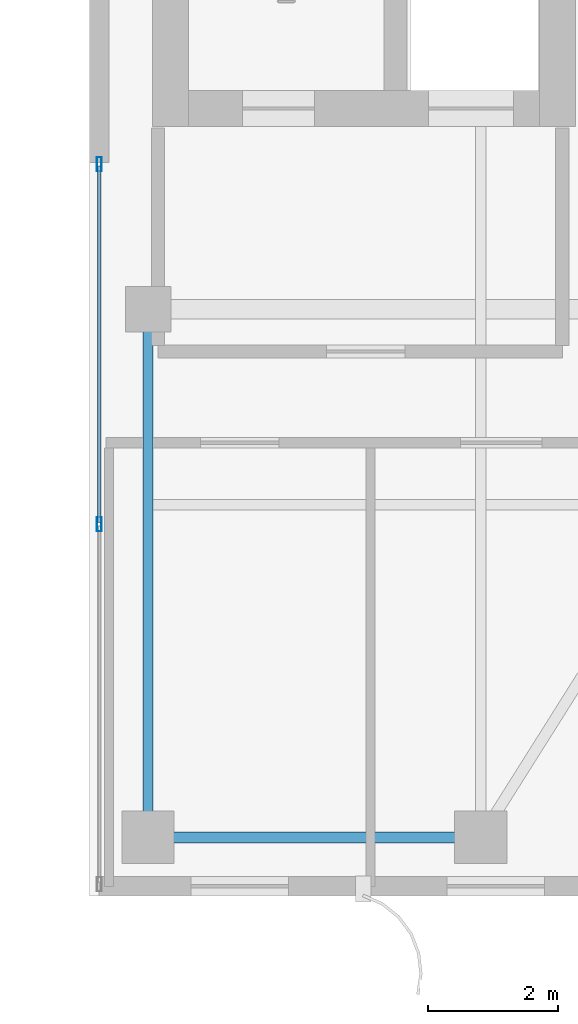
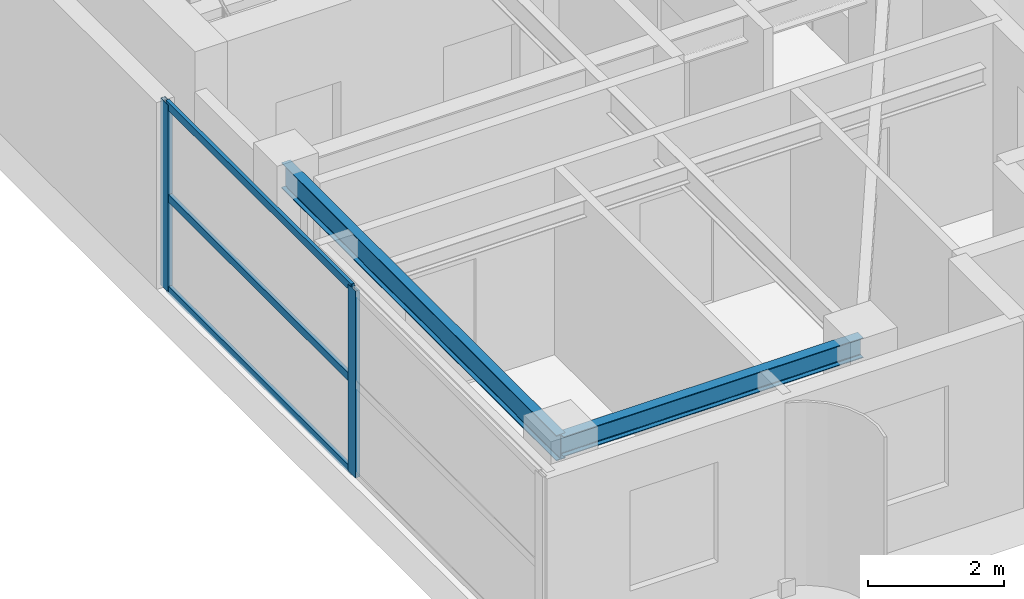
# One storey, part 5 of 24: 5 members, 2 beams, 1 element without a shape of its own.
"""IFC4 building model written with IfcOpenShell, lengths in metres."""

from ifc_helpers import new_model, si_unit, direction, frame, origin, origin_2d, place, context, subcontext, project, spatial, hollow_rectangle, i_section, extrude, source, transform, mapped, material, layer, layer_set, material_profile, profile_set, type_object, element, aggregate, save


model = new_model("IFC4")

# Units and contexts
model_context = context("Model", 3, precision=1e-05, world=origin(), true_north=direction((0.0, 1.0)))
body_context = subcontext(model_context, "Body", "Model", "MODEL_VIEW")
ifc_project = project(units=[si_unit("LENGTHUNIT", "METRE"), si_unit("AREAUNIT", "SQUARE_METRE"), si_unit("VOLUMEUNIT", "CUBIC_METRE"), si_unit("PLANEANGLEUNIT", "RADIAN"), si_unit("MASSUNIT", "GRAM", prefix="KILO")], contexts=[model_context])

# Site, building, storey
site_placement = place(None, origin())
site = spatial("IfcSite", under=ifc_project, at=site_placement, CompositionType="ELEMENT")
building_placement = place(site_placement, origin())
building = spatial("IfcBuilding", under=site, at=building_placement, Name="Khoralis Quay Care Tower", CompositionType="ELEMENT")
storey_placement = place(building_placement, frame((0.0, 0.0, 227.699951171875)))
storey = spatial("IfcBuildingStorey", under=building, at=storey_placement, Name="L59", CompositionType="ELEMENT", Elevation=227.699951171875)

# Beams
ifc_material_1 = material(Name="Steel S355", Category="steel")
ifc_material_profile_1 = material_profile(ifc_material_1, i_section(OverallWidth=0.169921875, OverallDepth=0.360107421875, WebThickness=0.008056640625, FlangeThickness=0.0126953125, FilletRadius=0.01806640625, at=origin_2d()), Name="Steel S355")
ifc_profile_set_1 = profile_set([ifc_material_profile_1], Name="Steel S355")
beam_type_1 = type_object("IfcBeamType", Name="BM-IPE360", PredefinedType="SPANDREL", material=ifc_profile_set_1)
shared_shape_1 = source(origin(), body_context, "Body", "SweptSolid", [
    extrude(i_section(OverallWidth=0.169921875, OverallDepth=0.360107421875, WebThickness=0.008056640625, FlangeThickness=0.0126953125, FilletRadius=0.01806640625, at=origin_2d()), origin(), (0.0, 0.0, 1.0), 5.10009765625),
])
beam_1_placement = place(storey_placement, frame((30.89990234375, 3.89990234375, 3.179931640625), z_axis=(1.0, 0.0, 0.0), x_axis=(0.0, 1.0, 0.0)))
element("IfcBeam", 1, at=beam_1_placement, inside=storey, type_object=beam_type_1, Name="BM-TSP-L59-02", PredefinedType="SPANDREL", context=body_context, shape_type="MappedRepresentation", body=[
    mapped(shared_shape_1, transform((0.0, 0.0, 0.0), scale=1.0)),
])
ifc_material_profile_2 = material_profile(ifc_material_1, i_section(OverallWidth=0.154052734375, OverallDepth=0.458984375, WebThickness=0.009033203125, FlangeThickness=0.015380859375, FilletRadius=0.014892578125, at=origin_2d()), Name="Steel S355")
ifc_profile_set_2 = profile_set([ifc_material_profile_2], Name="Steel S355")
beam_type_2 = type_object("IfcBeamType", Name="BM-W460X68", PredefinedType="BEAM", material=ifc_profile_set_2)
shared_shape_2 = source(origin(), body_context, "Body", "SweptSolid", [
    extrude(i_section(OverallWidth=0.154052734375, OverallDepth=0.458984375, WebThickness=0.009033203125, FlangeThickness=0.015380859375, FilletRadius=0.014892578125, at=origin_2d()), origin(), (0.0, 0.0, 1.0), 8.10009765625),
])
beam_2_placement = place(storey_placement, frame((30.89990234375, 3.89990234375, 3.130615234375), z_axis=(0.0, 1.0, 0.0), x_axis=(-1.0, 0.0, 0.0)))
element("IfcBeam", 2, at=beam_2_placement, inside=storey, type_object=beam_type_2, Name="BM-TGYS-L59-309", PredefinedType="BEAM", context=body_context, shape_type="MappedRepresentation", body=[
    mapped(shared_shape_2, transform((0.0, 0.0, 0.0), scale=1.0)),
])

# Curtain wall, members
ifc_material_2 = material(Name="Pale anodised aluminium", Category="aluminium")
ifc_layer = layer(ifc_material_2, 0.18994140625)
ifc_layer_set = layer_set([ifc_layer], Name="Pale anodised aluminium")
curtain_wall_type = type_object("IfcCurtainWallType", Name="CW-SYS-PORTAL", PredefinedType="NOTDEFINED", material=ifc_layer_set)
curtain_wall_placement = place(storey_placement, origin())
curtain_wall = element("IfcCurtainWall", 3, at=curtain_wall_placement, inside=storey, type_object=curtain_wall_type, Name="L59 Unitised Curtain Wall CW-VP-L59-P2-S", PredefinedType="NOTDEFINED")
ifc_material_profile_3 = material_profile(ifc_material_2, hollow_rectangle(XDim=0.074951171875, YDim=0.219970703125, WallThickness=0.00390625, at=origin_2d()), Name="Pale anodised aluminium")
ifc_profile_set_3 = profile_set([ifc_material_profile_3], Name="Pale anodised aluminium")
member_type_1 = type_object("IfcMemberType", Name="CW-MUL-220", PredefinedType="MULLION", material=ifc_profile_set_3)
shared_shape_3 = source(origin(), body_context, "Body", "SweptSolid", [
    extrude(hollow_rectangle(XDim=0.074951171875, YDim=0.219970703125, WallThickness=0.00390625, at=origin_2d()), origin(), (0.0, 0.0, 1.0), 3.360107421875),
])
member_1_placement = place(storey_placement, frame((30.14990234375, 8.699951171875, 0.0), z_axis=(0.0, 0.0, 1.0), x_axis=(-1.0, 0.0, 0.0)))
member_1 = element("IfcMember", 4, at=member_1_placement, type_object=member_type_1, Name="CW4 mullion 2", PredefinedType="MULLION", context=body_context, shape_type="MappedRepresentation", body=[
    mapped(shared_shape_3, transform((0.0, 0.0, 0.0), scale=1.0)),
])
member_2_placement = place(storey_placement, frame((30.14990234375, 14.219970703125, 0.0), z_axis=(0.0, 0.0, 1.0), x_axis=(-1.0, 0.0, 0.0)))
member_2 = element("IfcMember", 5, at=member_2_placement, type_object=member_type_1, Name="CW4 mullion 3", PredefinedType="MULLION", context=body_context, shape_type="MappedRepresentation", body=[
    mapped(shared_shape_3, transform((0.0, 0.0, 0.0), scale=1.0)),
])
ifc_material_profile_4 = material_profile(ifc_material_2, hollow_rectangle(XDim=0.06005859375, YDim=0.139892578125, WallThickness=0.00390625, at=origin_2d()), Name="Pale anodised aluminium")
ifc_profile_set_4 = profile_set([ifc_material_profile_4], Name="Pale anodised aluminium")
member_type_2 = type_object("IfcMemberType", Name="CW-TRN-140", PredefinedType="USERDEFINED", material=ifc_profile_set_4)
shared_shape_4 = source(origin(), body_context, "Body", "SweptSolid", [
    extrude(hollow_rectangle(XDim=0.06005859375, YDim=0.139892578125, WallThickness=0.00390625, at=origin_2d()), origin(), (0.0, 0.0, 1.0), 5.4599609375),
])
member_3_placement = place(storey_placement, frame((30.14990234375, 8.72998046875, 0.030029296875), z_axis=(0.0, 1.0, 0.0), x_axis=(-1.0, 0.0, 0.0)))
member_3 = element("IfcMember", 6, at=member_3_placement, type_object=member_type_2, Name="CW4 transom 2.1", ObjectType="TRANSOM", PredefinedType="USERDEFINED", context=body_context, shape_type="MappedRepresentation", body=[
    mapped(shared_shape_4, transform((0.0, 0.0, 0.0), scale=1.0)),
])
member_4_placement = place(storey_placement, frame((30.14990234375, 8.72998046875, 1.679931640625), z_axis=(0.0, 1.0, 0.0), x_axis=(-1.0, 0.0, 0.0)))
member_4 = element("IfcMember", 7, at=member_4_placement, type_object=member_type_2, Name="CW4 transom 2.2", ObjectType="TRANSOM", PredefinedType="USERDEFINED", context=body_context, shape_type="MappedRepresentation", body=[
    mapped(shared_shape_4, transform((0.0, 0.0, 0.0), scale=1.0)),
])
member_5_placement = place(storey_placement, frame((30.14990234375, 8.72998046875, 3.330078125), z_axis=(0.0, 1.0, 0.0), x_axis=(-1.0, 0.0, 0.0)))
member_5 = element("IfcMember", 8, at=member_5_placement, type_object=member_type_2, Name="CW4 transom 2.3", ObjectType="TRANSOM", PredefinedType="USERDEFINED", context=body_context, shape_type="MappedRepresentation", body=[
    mapped(shared_shape_4, transform((0.0, 0.0, 0.0), scale=1.0)),
])
aggregate(curtain_wall, [member_1, member_2, member_3, member_4, member_5])

save(model, "model.ifc")
